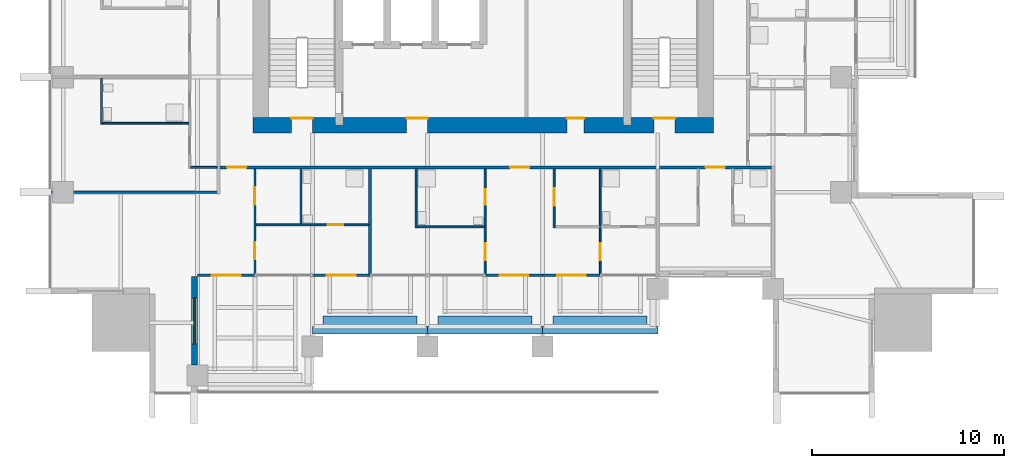
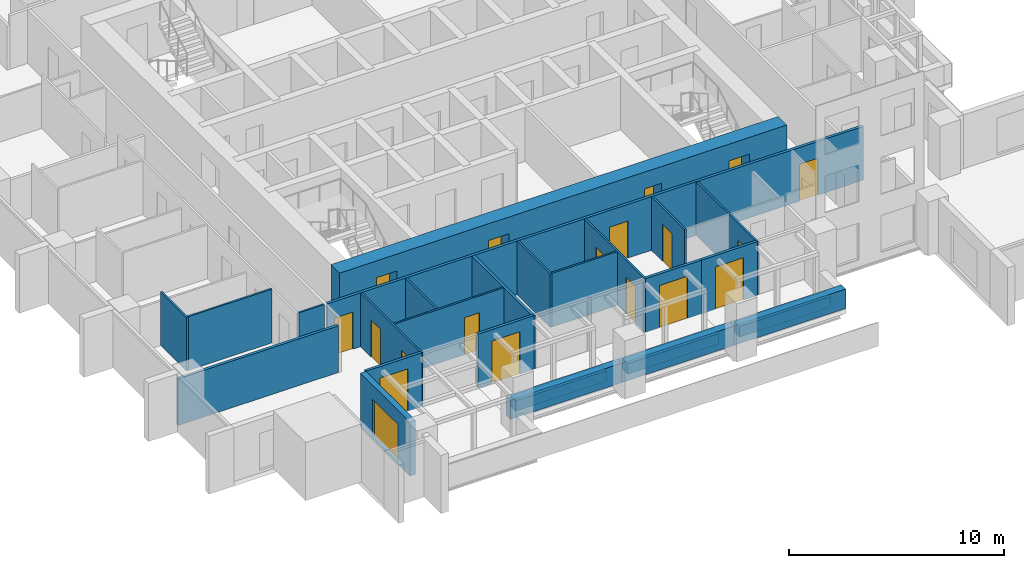
# One storey, part 7 of 16: 26 walls, 18 doors, 1 window, 19 openings.
"""IFC4 building model written with IfcOpenShell, lengths in metres."""

from ifc_helpers import new_model, si_unit, direction, frame, frame_2d, origin, place, context, subcontext, project, spatial, rectangle, extrude, material, layer, layer_set, type_object, element, fill, save


model = new_model("IFC4")

# Units and contexts
model_context = context("Model", 3, precision=1e-05, world=origin(), true_north=direction((0.0, 1.0)))
body_context = subcontext(model_context, "Body", "Model", "MODEL_VIEW")
ifc_project = project(units=[si_unit("LENGTHUNIT", "METRE"), si_unit("AREAUNIT", "SQUARE_METRE"), si_unit("VOLUMEUNIT", "CUBIC_METRE"), si_unit("PLANEANGLEUNIT", "RADIAN"), si_unit("MASSUNIT", "GRAM", prefix="KILO")], contexts=[model_context])

# Site, building, storey
site_placement = place(None, origin())
site = spatial("IfcSite", under=ifc_project, at=site_placement, CompositionType="ELEMENT")
building_placement = place(site_placement, origin())
building = spatial("IfcBuilding", under=site, at=building_placement, Name="Amberfall Residences", CompositionType="ELEMENT")
storey_placement = place(building_placement, frame((0.0, 0.0, 108.39990234375)))
storey = spatial("IfcBuildingStorey", under=building, at=storey_placement, Name="L29", CompositionType="ELEMENT", Elevation=108.39990234375)

# Wall, opening, window
ifc_material_1 = material(Name="Pale stone cladding on insulated backing", Category="masonry")
ifc_layer_1 = layer(ifc_material_1, 0.300048828125)
ifc_layer_set_1 = layer_set([ifc_layer_1], Name="Bronze clad wall 300")
wall_type_1 = type_object("IfcWallType", Name="Bronze clad wall 300", PredefinedType="SOLIDWALL", material=ifc_layer_set_1)
wall_1_placement = place(storey_placement, frame((59.449951171875, 21.39990234375, 0.0), z_axis=(0.0, 0.0, 1.0), x_axis=(0.0, 1.0, 0.0)))
wall_1 = element("IfcWall", 1, at=wall_1_placement, inside=storey, type_object=wall_type_1, Name="External wall L29 S", PredefinedType="SOLIDWALL", context=body_context, shape_type="SweptSolid", body=[
    extrude(rectangle(XDim=4.60009765625, YDim=0.300048828125, at=frame_2d((2.300048828125, 0.0))), origin(), (0.0, 0.0, 1.0), 3.050048828125),
])
opening_1_placement = place(wall_1_placement, frame((1.10009765625, 0.0, 0.14990234375)))
opening_1 = element("IfcOpeningElement", 2, at=opening_1_placement, cuts=wall_1, Name="Opening WN5", PredefinedType="OPENING", context=body_context, shape_type="SweptSolid", body=[
    extrude(rectangle(XDim=2.39990234375, YDim=2.10009765625, at=frame_2d((1.199951171875, 1.050048828125))), frame((0.0, 0.159912109375, 0.0), z_axis=(0.0, -1.0, 0.0), x_axis=(1.0, 0.0, 0.0)), (0.0, 0.0, 1.0), 0.320068359375),
])
ifc_material_2 = material(Name="Bronze aluminium framed glazing", Category="aluminium")
window_type = type_object("IfcWindowType", Name="Glazed opening 2400 x 2100 bronze", PartitioningType="DOUBLE_PANEL_VERTICAL", PredefinedType="WINDOW", material=ifc_material_2)
window_placement = place(opening_1_placement, origin())
window = element("IfcWindow", 3, at=window_placement, inside=storey, type_object=window_type, Name="Window L29 S", OverallHeight=2.10009765625, OverallWidth=2.39990234375, PartitioningType="DOUBLE_PANEL_VERTICAL", PredefinedType="WINDOW", context=body_context, shape_type="SweptSolid", body=[
    extrude(rectangle(XDim=2.39990234375, YDim=2.10009765625, at=frame_2d((1.199951171875, 1.050048828125))), frame((0.0, 0.030029296875, 0.0), z_axis=(0.0, -1.0, 0.0), x_axis=(1.0, 0.0, 0.0)), (0.0, 0.0, 1.0), 0.06005859375),
])
fill(opening_1, window)

# Wall, openings, doors
ifc_material_3 = material(Name="Concrete C70", Category="concrete")
ifc_layer_2 = layer(ifc_material_3, 0.800048828125)
ifc_layer_set_2 = layer_set([ifc_layer_2], Name="Core wall 800 C70")
wall_type_2 = type_object("IfcWallType", Name="Core wall 800 C70", PredefinedType="SHEAR", material=ifc_layer_set_2)
wall_2_placement = place(storey_placement, frame((62.5, 33.89990234375, 0.0), z_axis=(0.0, 0.0, 1.0), x_axis=(1.0, 0.0, 0.0)))
wall_2 = element("IfcWall", 4, at=wall_2_placement, inside=storey, type_object=wall_type_2, Name="Core wall RW3 L29 OS", PredefinedType="SHEAR", context=body_context, shape_type="SweptSolid", body=[
    extrude(rectangle(XDim=24.0, YDim=0.800048828125, at=frame_2d((12.0, 0.0))), origin(), (0.0, 0.0, 1.0), 3.050048828125),
])
opening_2_placement = place(wall_2_placement, frame((2.0, 0.0, 0.0)))
opening_2 = element("IfcOpeningElement", 5, at=opening_2_placement, cuts=wall_2, Name="Opening SD1", PredefinedType="OPENING", context=body_context, shape_type="SweptSolid", body=[
    extrude(rectangle(XDim=1.10009765625, YDim=2.10009765625, at=frame_2d((0.550048828125, 1.050048828125))), frame((0.0, 0.409912109375, 0.0), z_axis=(0.0, -1.0, 0.0), x_axis=(1.0, 0.0, 0.0)), (0.0, 0.0, 1.0), 0.820068359375),
])
opening_3_placement = place(wall_2_placement, frame((20.89990234375, 0.0, 0.0)))
opening_3 = element("IfcOpeningElement", 6, at=opening_3_placement, cuts=wall_2, Name="Opening SD1", PredefinedType="OPENING", context=body_context, shape_type="SweptSolid", body=[
    extrude(rectangle(XDim=1.10009765625, YDim=2.10009765625, at=frame_2d((0.550048828125, 1.050048828125))), frame((0.0, 0.409912109375, 0.0), z_axis=(0.0, -1.0, 0.0), x_axis=(1.0, 0.0, 0.0)), (0.0, 0.0, 1.0), 0.820068359375),
])
opening_4_placement = place(wall_2_placement, frame((8.0, 0.0, 0.0)))
opening_4 = element("IfcOpeningElement", 7, at=opening_4_placement, cuts=wall_2, Name="Opening FL1", PredefinedType="OPENING", context=body_context, shape_type="SweptSolid", body=[
    extrude(rectangle(XDim=1.10009765625, YDim=2.10009765625, at=frame_2d((0.550048828125, 1.050048828125))), frame((0.0, 0.409912109375, 0.0), z_axis=(0.0, -1.0, 0.0), x_axis=(1.0, 0.0, 0.0)), (0.0, 0.0, 1.0), 0.820068359375),
])
opening_5_placement = place(wall_2_placement, frame((16.362548828125, 0.0, 0.0)))
opening_5 = element("IfcOpeningElement", 8, at=opening_5_placement, cuts=wall_2, Name="Opening RD1", PredefinedType="OPENING", context=body_context, shape_type="SweptSolid", body=[
    extrude(rectangle(XDim=0.89990234375, YDim=2.10009765625, at=frame_2d((0.449951171875, 1.050048828125))), frame((0.0, 0.409912109375, 0.0), z_axis=(0.0, -1.0, 0.0), x_axis=(1.0, 0.0, 0.0)), (0.0, 0.0, 1.0), 0.820068359375),
])
ifc_material_4 = material(Name="Steel fire door set", Category="steel")
door_type_1 = type_object("IfcDoorType", Name="Firefighting lobby door 1100 x 2100", OperationType="SINGLE_SWING_LEFT", PredefinedType="DOOR", material=ifc_material_4)
door_1_placement = place(opening_4_placement, origin())
door_1 = element("IfcDoor", 9, at=door_1_placement, inside=storey, type_object=door_type_1, Name="FL1 L29", OperationType="SINGLE_SWING_LEFT", OverallHeight=2.10009765625, OverallWidth=1.10009765625, PredefinedType="DOOR", context=body_context, shape_type="SweptSolid", body=[
    extrude(rectangle(XDim=1.10009765625, YDim=2.10009765625, at=frame_2d((0.550048828125, 1.050048828125))), frame((0.0, 0.3876953125, 0.0), z_axis=(0.0, -1.0, 0.0), x_axis=(1.0, 0.0, 0.0)), (0.0, 0.0, 1.0), 0.050048828125),
])
fill(opening_4, door_1)
door_type_2 = type_object("IfcDoorType", Name="Service room door 900 x 2100", OperationType="SINGLE_SWING_LEFT", PredefinedType="DOOR", material=ifc_material_4)
door_2_placement = place(opening_5_placement, origin())
door_2 = element("IfcDoor", 10, at=door_2_placement, inside=storey, type_object=door_type_2, Name="RD1 L29", OperationType="SINGLE_SWING_LEFT", OverallHeight=2.10009765625, OverallWidth=0.89990234375, PredefinedType="DOOR", context=body_context, shape_type="SweptSolid", body=[
    extrude(rectangle(XDim=0.89990234375, YDim=2.10009765625, at=frame_2d((0.449951171875, 1.050048828125))), frame((0.0, 0.3876953125, 0.0), z_axis=(0.0, -1.0, 0.0), x_axis=(1.0, 0.0, 0.0)), (0.0, 0.0, 1.0), 0.050048828125),
])
fill(opening_5, door_2)
door_type_3 = type_object("IfcDoorType", Name="Stair door 1100 x 2100", OperationType="SINGLE_SWING_LEFT", PredefinedType="DOOR", material=ifc_material_4)
door_3_placement = place(opening_2_placement, origin())
door_3 = element("IfcDoor", 11, at=door_3_placement, inside=storey, type_object=door_type_3, Name="SD1 L29", OperationType="SINGLE_SWING_LEFT", OverallHeight=2.10009765625, OverallWidth=1.10009765625, PredefinedType="DOOR", context=body_context, shape_type="SweptSolid", body=[
    extrude(rectangle(XDim=1.10009765625, YDim=2.10009765625, at=frame_2d((0.550048828125, 1.050048828125))), frame((0.0, 0.3876953125, 0.0), z_axis=(0.0, -1.0, 0.0), x_axis=(1.0, 0.0, 0.0)), (0.0, 0.0, 1.0), 0.050048828125),
])
fill(opening_2, door_3)
door_4_placement = place(opening_3_placement, origin())
door_4 = element("IfcDoor", 12, at=door_4_placement, inside=storey, type_object=door_type_3, Name="SD1 L29", OperationType="SINGLE_SWING_RIGHT", OverallHeight=2.10009765625, OverallWidth=1.10009765625, PredefinedType="DOOR", context=body_context, shape_type="SweptSolid", body=[
    extrude(rectangle(XDim=1.10009765625, YDim=2.10009765625, at=frame_2d((0.550048828125, 1.050048828125))), frame((0.0, 0.3876953125, 0.0), z_axis=(0.0, -1.0, 0.0), x_axis=(1.0, 0.0, 0.0)), (0.0, 0.0, 1.0), 0.050048828125),
])
fill(opening_3, door_4)

# Wall
ifc_material_5 = material(Name="Gypsum board on metal stud")
ifc_layer_3 = layer(ifc_material_5, 0.10009765625)
ifc_layer_set_3 = layer_set([ifc_layer_3], Name="Flat partition 100")
wall_type_3 = type_object("IfcWallType", Name="Flat partition 100", PredefinedType="PARTITIONING", material=ifc_layer_set_3)
wall_3_placement = place(storey_placement, frame((54.60009765625, 33.949951171875, 0.0), z_axis=(0.0, 0.0, 1.0), x_axis=(0.0, 1.0, 0.0)))
element("IfcWall", 13, at=wall_3_placement, inside=storey, type_object=wall_type_3, Name="Partition 001", PredefinedType="PARTITIONING", context=body_context, shape_type="SweptSolid", body=[
    extrude(rectangle(XDim=2.400146484375, YDim=0.10009765625, at=frame_2d((1.2001953125, 0.0))), origin(), (0.0, 0.0, 1.0), 3.050048828125),
])

# Wall, openings, doors
wall_4_placement = place(storey_placement, frame((62.60009765625, 31.625, 0.0), z_axis=(0.0, 0.0, 1.0), x_axis=(0.0, -1.0, 0.0)))
wall_4 = element("IfcWall", 14, at=wall_4_placement, inside=storey, type_object=wall_type_3, Name="Partition 007", PredefinedType="PARTITIONING", context=body_context, shape_type="SweptSolid", body=[
    extrude(rectangle(XDim=5.625, YDim=0.10009765625, at=frame_2d((2.8125, 0.0))), origin(), (0.0, 0.0, 1.0), 3.050048828125),
])
opening_6_placement = place(wall_4_placement, frame((0.97509765625, 0.0, 0.0)))
opening_6 = element("IfcOpeningElement", 15, at=opening_6_placement, cuts=wall_4, Name="Opening D41", PredefinedType="OPENING", context=body_context, shape_type="SweptSolid", body=[
    extrude(rectangle(XDim=0.89990234375, YDim=2.10009765625, at=frame_2d((0.449951171875, 1.050048828125))), frame((0.0, 0.06005859375, 0.0), z_axis=(0.0, -1.0, 0.0), x_axis=(1.0, 0.0, 0.0)), (0.0, 0.0, 1.0), 0.1201171875),
])
opening_7_placement = place(wall_4_placement, frame((3.824951171875, 0.0, 0.0)))
opening_7 = element("IfcOpeningElement", 16, at=opening_7_placement, cuts=wall_4, Name="Opening D41", PredefinedType="OPENING", context=body_context, shape_type="SweptSolid", body=[
    extrude(rectangle(XDim=0.89990234375, YDim=2.10009765625, at=frame_2d((0.449951171875, 1.050048828125))), frame((0.0, 0.06005859375, 0.0), z_axis=(0.0, -1.0, 0.0), x_axis=(1.0, 0.0, 0.0)), (0.0, 0.0, 1.0), 0.1201171875),
])
ifc_material_6 = material(Name="Timber", Category="wood")
door_type_4 = type_object("IfcDoorType", Name="Internal door 900 x 2100", OperationType="SINGLE_SWING_LEFT", PredefinedType="DOOR", material=ifc_material_6)
door_5_placement = place(opening_6_placement, origin())
door_5 = element("IfcDoor", 17, at=door_5_placement, inside=storey, type_object=door_type_4, Name="Door 2901 kitchen", OperationType="SINGLE_SWING_LEFT", OverallHeight=2.10009765625, OverallWidth=0.89990234375, PredefinedType="DOOR", context=body_context, shape_type="SweptSolid", body=[
    extrude(rectangle(XDim=0.89990234375, YDim=2.10009765625, at=frame_2d((0.449951171875, 1.050048828125))), frame((0.0, 0.02490234375, 0.0), z_axis=(0.0, -1.0, 0.0), x_axis=(1.0, 0.0, 0.0)), (0.0, 0.0, 1.0), 0.050048828125),
])
fill(opening_6, door_5)
door_6_placement = place(opening_7_placement, origin())
door_6 = element("IfcDoor", 18, at=door_6_placement, inside=storey, type_object=door_type_4, Name="Door 2901 bedroom1", OperationType="SINGLE_SWING_LEFT", OverallHeight=2.10009765625, OverallWidth=0.89990234375, PredefinedType="DOOR", context=body_context, shape_type="SweptSolid", body=[
    extrude(rectangle(XDim=0.89990234375, YDim=2.10009765625, at=frame_2d((0.449951171875, 1.050048828125))), frame((0.0, 0.02490234375, 0.0), z_axis=(0.0, -1.0, 0.0), x_axis=(1.0, 0.0, 0.0)), (0.0, 0.0, 1.0), 0.050048828125),
])
fill(opening_7, door_6)

# Walls
wall_5_placement = place(storey_placement, frame((65.0, 28.75, 0.0), z_axis=(0.0, 0.0, 1.0), x_axis=(0.0, 1.0, 0.0)))
element("IfcWall", 19, at=wall_5_placement, inside=storey, type_object=wall_type_3, Name="Partition 009", PredefinedType="PARTITIONING", context=body_context, shape_type="SweptSolid", body=[
    extrude(rectangle(XDim=2.875, YDim=0.10009765625, at=frame_2d((1.4375, 0.0))), origin(), (0.0, 0.0, 1.0), 3.050048828125),
])
wall_6_placement = place(storey_placement, frame((71.0, 28.550048828125, 0.0), z_axis=(0.0, 0.0, 1.0), x_axis=(0.0, 1.0, 0.0)))
element("IfcWall", 20, at=wall_6_placement, inside=storey, type_object=wall_type_3, Name="Partition 012", PredefinedType="PARTITIONING", context=body_context, shape_type="SweptSolid", body=[
    extrude(rectangle(XDim=3.074951171875, YDim=0.10009765625, at=frame_2d((1.53759765625, 0.0))), origin(), (0.0, 0.0, 1.0), 3.050048828125),
])

# Wall, openings, doors
wall_7_placement = place(storey_placement, frame((74.60009765625, 26.0, 0.0), z_axis=(0.0, 0.0, 1.0), x_axis=(0.0, 1.0, 0.0)))
wall_7 = element("IfcWall", 21, at=wall_7_placement, inside=storey, type_object=wall_type_3, Name="Partition 015", PredefinedType="PARTITIONING", context=body_context, shape_type="SweptSolid", body=[
    extrude(rectangle(XDim=5.625, YDim=0.10009765625, at=frame_2d((2.8125, 0.0))), origin(), (0.0, 0.0, 1.0), 3.050048828125),
])
opening_8_placement = place(wall_7_placement, frame((0.85009765625, 0.0, 0.0)))
opening_8 = element("IfcOpeningElement", 22, at=opening_8_placement, cuts=wall_7, Name="Opening D41", PredefinedType="OPENING", context=body_context, shape_type="SweptSolid", body=[
    extrude(rectangle(XDim=0.89990234375, YDim=2.10009765625, at=frame_2d((0.449951171875, 1.050048828125))), frame((0.0, 0.06005859375, 0.0), z_axis=(0.0, -1.0, 0.0), x_axis=(1.0, 0.0, 0.0)), (0.0, 0.0, 1.0), 0.1201171875),
])
opening_9_placement = place(wall_7_placement, frame((3.75, 0.0, 0.0)))
opening_9 = element("IfcOpeningElement", 23, at=opening_9_placement, cuts=wall_7, Name="Opening D42", PredefinedType="OPENING", context=body_context, shape_type="SweptSolid", body=[
    extrude(rectangle(XDim=0.800048828125, YDim=2.10009765625, at=frame_2d((0.39990234375, 1.050048828125))), frame((0.0, 0.06005859375, 0.0), z_axis=(0.0, -1.0, 0.0), x_axis=(1.0, 0.0, 0.0)), (0.0, 0.0, 1.0), 0.1201171875),
])
door_type_5 = type_object("IfcDoorType", Name="Bathroom door 800 x 2100", OperationType="SINGLE_SWING_LEFT", PredefinedType="DOOR", material=ifc_material_6)
door_7_placement = place(opening_9_placement, origin())
door_7 = element("IfcDoor", 24, at=door_7_placement, inside=storey, type_object=door_type_5, Name="Door 2902 bath1", OperationType="SINGLE_SWING_LEFT", OverallHeight=2.10009765625, OverallWidth=0.800048828125, PredefinedType="DOOR", context=body_context, shape_type="SweptSolid", body=[
    extrude(rectangle(XDim=0.800048828125, YDim=2.10009765625, at=frame_2d((0.39990234375, 1.050048828125))), frame((0.0, 0.02490234375, 0.0), z_axis=(0.0, -1.0, 0.0), x_axis=(1.0, 0.0, 0.0)), (0.0, 0.0, 1.0), 0.050048828125),
])
fill(opening_9, door_7)
door_8_placement = place(opening_8_placement, origin())
door_8 = element("IfcDoor", 25, at=door_8_placement, inside=storey, type_object=door_type_4, Name="Door 2902 bedroom1", OperationType="SINGLE_SWING_LEFT", OverallHeight=2.10009765625, OverallWidth=0.89990234375, PredefinedType="DOOR", context=body_context, shape_type="SweptSolid", body=[
    extrude(rectangle(XDim=0.89990234375, YDim=2.10009765625, at=frame_2d((0.449951171875, 1.050048828125))), frame((0.0, 0.02490234375, 0.0), z_axis=(0.0, -1.0, 0.0), x_axis=(1.0, 0.0, 0.0)), (0.0, 0.0, 1.0), 0.050048828125),
])
fill(opening_8, door_8)

# Wall, opening, door
wall_8_placement = place(storey_placement, frame((78.199951171875, 31.625, 0.0), z_axis=(0.0, 0.0, 1.0), x_axis=(0.0, -1.0, 0.0)))
wall_8 = element("IfcWall", 26, at=wall_8_placement, inside=storey, type_object=wall_type_3, Name="Partition 016", PredefinedType="PARTITIONING", context=body_context, shape_type="SweptSolid", body=[
    extrude(rectangle(XDim=3.074951171875, YDim=0.10009765625, at=frame_2d((1.53759765625, 0.0))), origin(), (0.0, 0.0, 1.0), 3.050048828125),
])
opening_10_placement = place(wall_8_placement, frame((1.02490234375, 0.0, 0.0)))
opening_10 = element("IfcOpeningElement", 27, at=opening_10_placement, cuts=wall_8, Name="Opening D41", PredefinedType="OPENING", context=body_context, shape_type="SweptSolid", body=[
    extrude(rectangle(XDim=0.89990234375, YDim=2.10009765625, at=frame_2d((0.449951171875, 1.050048828125))), frame((0.0, 0.06005859375, 0.0), z_axis=(0.0, -1.0, 0.0), x_axis=(1.0, 0.0, 0.0)), (0.0, 0.0, 1.0), 0.1201171875),
])
door_9_placement = place(opening_10_placement, origin())
door_9 = element("IfcDoor", 28, at=door_9_placement, inside=storey, type_object=door_type_4, Name="Door 2902 kitchen", OperationType="SINGLE_SWING_LEFT", OverallHeight=2.10009765625, OverallWidth=0.89990234375, PredefinedType="DOOR", context=body_context, shape_type="SweptSolid", body=[
    extrude(rectangle(XDim=0.89990234375, YDim=2.10009765625, at=frame_2d((0.449951171875, 1.050048828125))), frame((0.0, 0.02490234375, 0.0), z_axis=(0.0, -1.0, 0.0), x_axis=(1.0, 0.0, 0.0)), (0.0, 0.0, 1.0), 0.050048828125),
])
fill(opening_10, door_9)

wall_9_placement = place(storey_placement, frame((80.60009765625, 31.625, 0.0), z_axis=(0.0, 0.0, 1.0), x_axis=(0.0, -1.0, 0.0)))
wall_9 = element("IfcWall", 29, at=wall_9_placement, inside=storey, type_object=wall_type_3, Name="Partition 017", PredefinedType="PARTITIONING", context=body_context, shape_type="SweptSolid", body=[
    extrude(rectangle(XDim=5.625, YDim=0.10009765625, at=frame_2d((2.8125, 0.0))), origin(), (0.0, 0.0, 1.0), 3.050048828125),
])
opening_11_placement = place(wall_9_placement, frame((3.875, 0.0, 0.0)))
opening_11 = element("IfcOpeningElement", 30, at=opening_11_placement, cuts=wall_9, Name="Opening D41", PredefinedType="OPENING", context=body_context, shape_type="SweptSolid", body=[
    extrude(rectangle(XDim=0.89990234375, YDim=2.10009765625, at=frame_2d((0.449951171875, 1.050048828125))), frame((0.0, 0.06005859375, 0.0), z_axis=(0.0, -1.0, 0.0), x_axis=(1.0, 0.0, 0.0)), (0.0, 0.0, 1.0), 0.1201171875),
])
door_10_placement = place(opening_11_placement, origin())
door_10 = element("IfcDoor", 31, at=door_10_placement, inside=storey, type_object=door_type_4, Name="Door 2902 bedroom2", OperationType="SINGLE_SWING_LEFT", OverallHeight=2.10009765625, OverallWidth=0.89990234375, PredefinedType="DOOR", context=body_context, shape_type="SweptSolid", body=[
    extrude(rectangle(XDim=0.89990234375, YDim=2.10009765625, at=frame_2d((0.449951171875, 1.050048828125))), frame((0.0, 0.02490234375, 0.0), z_axis=(0.0, -1.0, 0.0), x_axis=(1.0, 0.0, 0.0)), (0.0, 0.0, 1.0), 0.050048828125),
])
fill(opening_11, door_10)

# Walls
wall_10_placement = place(storey_placement, frame((54.64990234375, 34.0, 0.0), z_axis=(0.0, 0.0, 1.0), x_axis=(1.0, 0.0, 0.0)))
element("IfcWall", 32, at=wall_10_placement, inside=storey, type_object=wall_type_3, Name="Partition 043", PredefinedType="PARTITIONING", context=body_context, shape_type="SweptSolid", body=[
    extrude(rectangle(XDim=4.5, YDim=0.10009765625, at=frame_2d((2.25, 0.0))), origin(), (0.0, 0.0, 1.0), 3.050048828125),
])
wall_11_placement = place(storey_placement, frame((59.25, 31.699951171875, 0.0), z_axis=(0.0, 0.0, 1.0), x_axis=(1.0, 0.0, 0.0)))
element("IfcWall", 33, at=wall_11_placement, inside=storey, type_object=wall_type_3, Name="Partition 045", PredefinedType="PARTITIONING", context=body_context, shape_type="SweptSolid", body=[
    extrude(rectangle(XDim=1.375, YDim=0.10009765625, at=frame_2d((0.6875, 0.0))), origin(), (0.0, 0.0, 1.0), 3.050048828125),
])

# Wall, opening, door
wall_12_placement = place(storey_placement, frame((62.64990234375, 28.699951171875, 0.0), z_axis=(0.0, 0.0, 1.0), x_axis=(1.0, 0.0, 0.0)))
wall_12 = element("IfcWall", 34, at=wall_12_placement, inside=storey, type_object=wall_type_3, Name="Partition 046", PredefinedType="PARTITIONING", context=body_context, shape_type="SweptSolid", body=[
    extrude(rectangle(XDim=5.875, YDim=0.10009765625, at=frame_2d((2.9375, 0.0))), origin(), (0.0, 0.0, 1.0), 3.050048828125),
])
opening_12_placement = place(wall_12_placement, frame((3.75, 0.0, 0.0)))
opening_12 = element("IfcOpeningElement", 35, at=opening_12_placement, cuts=wall_12, Name="Opening D42", PredefinedType="OPENING", context=body_context, shape_type="SweptSolid", body=[
    extrude(rectangle(XDim=0.800048828125, YDim=2.10009765625, at=frame_2d((0.39990234375, 1.050048828125))), frame((0.0, 0.06005859375, 0.0), z_axis=(0.0, -1.0, 0.0), x_axis=(1.0, 0.0, 0.0)), (0.0, 0.0, 1.0), 0.1201171875),
])
door_11_placement = place(opening_12_placement, origin())
door_11 = element("IfcDoor", 36, at=door_11_placement, inside=storey, type_object=door_type_5, Name="Door 2901 bath1", OperationType="SINGLE_SWING_LEFT", OverallHeight=2.10009765625, OverallWidth=0.800048828125, PredefinedType="DOOR", context=body_context, shape_type="SweptSolid", body=[
    extrude(rectangle(XDim=0.800048828125, YDim=2.10009765625, at=frame_2d((0.39990234375, 1.050048828125))), frame((0.0, 0.02490234375, 0.0), z_axis=(0.0, -1.0, 0.0), x_axis=(1.0, 0.0, 0.0)), (0.0, 0.0, 1.0), 0.050048828125),
])
fill(opening_12, door_11)

# Walls
wall_13_placement = place(storey_placement, frame((71.050048828125, 28.60009765625, 0.0), z_axis=(0.0, 0.0, 1.0), x_axis=(1.0, 0.0, 0.0)))
element("IfcWall", 37, at=wall_13_placement, inside=storey, type_object=wall_type_3, Name="Partition 049", PredefinedType="PARTITIONING", context=body_context, shape_type="SweptSolid", body=[
    extrude(rectangle(XDim=3.5, YDim=0.10009765625, at=frame_2d((1.75, 0.0))), origin(), (0.0, 0.0, 1.0), 3.050048828125),
])
ifc_material_7 = material(Name="Blockwork, plastered", Category="masonry")
ifc_layer_4 = layer(ifc_material_7, 0.14990234375)
ifc_layer_set_4 = layer_set([ifc_layer_4], Name="Flat separating wall 150")
wall_type_4 = type_object("IfcWallType", Name="Flat separating wall 150", PredefinedType="PARTITIONING", material=ifc_layer_set_4)
wall_14_placement = place(storey_placement, frame((68.60009765625, 26.0, 0.0), z_axis=(0.0, 0.0, 1.0), x_axis=(0.0, 1.0, 0.0)))
element("IfcWall", 38, at=wall_14_placement, inside=storey, type_object=wall_type_4, Name="Separating wall 053", PredefinedType="PARTITIONING", context=body_context, shape_type="SweptSolid", body=[
    extrude(rectangle(XDim=5.625, YDim=0.14990234375, at=frame_2d((2.8125, 0.0))), origin(), (0.0, 0.0, 1.0), 3.050048828125),
])

# Wall, openings, doors
wall_15_placement = place(storey_placement, frame((89.52490234375, 31.699951171875, 0.0), z_axis=(0.0, 0.0, 1.0), x_axis=(-1.0, 0.0, 0.0)))
wall_15 = element("IfcWall", 39, at=wall_15_placement, inside=storey, type_object=wall_type_4, Name="Separating wall 063", PredefinedType="PARTITIONING", context=body_context, shape_type="SweptSolid", body=[
    extrude(rectangle(XDim=28.75, YDim=0.14990234375, at=frame_2d((14.375, 0.0))), origin(), (0.0, 0.0, 1.0), 3.050048828125),
])
opening_13_placement = place(wall_15_placement, frame((27.375, 0.0, 0.0)))
opening_13 = element("IfcOpeningElement", 40, at=opening_13_placement, cuts=wall_15, Name="Opening D40", PredefinedType="OPENING", context=body_context, shape_type="SweptSolid", body=[
    extrude(rectangle(XDim=1.0, YDim=2.10009765625, at=frame_2d((0.5, 1.050048828125))), frame((0.0, 0.0849609375, 0.0), z_axis=(0.0, -1.0, 0.0), x_axis=(1.0, 0.0, 0.0)), (0.0, 0.0, 1.0), 0.169921875),
])
opening_14_placement = place(wall_15_placement, frame((12.625, 0.0, 0.0)))
opening_14 = element("IfcOpeningElement", 41, at=opening_14_placement, cuts=wall_15, Name="Opening D40", PredefinedType="OPENING", context=body_context, shape_type="SweptSolid", body=[
    extrude(rectangle(XDim=1.0, YDim=2.10009765625, at=frame_2d((0.5, 1.050048828125))), frame((0.0, 0.0849609375, 0.0), z_axis=(0.0, -1.0, 0.0), x_axis=(1.0, 0.0, 0.0)), (0.0, 0.0, 1.0), 0.169921875),
])
opening_15_placement = place(wall_15_placement, frame((2.425048828125, 0.0, 0.0)))
opening_15 = element("IfcOpeningElement", 42, at=opening_15_placement, cuts=wall_15, Name="Opening D40", PredefinedType="OPENING", context=body_context, shape_type="SweptSolid", body=[
    extrude(rectangle(XDim=1.0, YDim=2.10009765625, at=frame_2d((0.5, 1.050048828125))), frame((0.0, 0.0849609375, 0.0), z_axis=(0.0, -1.0, 0.0), x_axis=(1.0, 0.0, 0.0)), (0.0, 0.0, 1.0), 0.169921875),
])
ifc_material_8 = material(Name="Timber, fire-rated", Category="wood")
door_type_6 = type_object("IfcDoorType", Name="Flat entrance door FD60 1000 x 2100", OperationType="SINGLE_SWING_LEFT", PredefinedType="DOOR", material=ifc_material_8)
door_12_placement = place(opening_13_placement, origin())
door_12 = element("IfcDoor", 43, at=door_12_placement, inside=storey, type_object=door_type_6, Name="Door 2901 entrance", OperationType="SINGLE_SWING_LEFT", OverallHeight=2.10009765625, OverallWidth=1.0, PredefinedType="DOOR", context=body_context, shape_type="SweptSolid", body=[
    extrude(rectangle(XDim=1.0, YDim=2.10009765625, at=frame_2d((0.5, 1.050048828125))), frame((0.0, 0.02490234375, 0.0), z_axis=(0.0, -1.0, 0.0), x_axis=(1.0, 0.0, 0.0)), (0.0, 0.0, 1.0), 0.050048828125),
])
fill(opening_13, door_12)
door_13_placement = place(opening_14_placement, origin())
door_13 = element("IfcDoor", 44, at=door_13_placement, inside=storey, type_object=door_type_6, Name="Door 2902 entrance", OperationType="SINGLE_SWING_LEFT", OverallHeight=2.10009765625, OverallWidth=1.0, PredefinedType="DOOR", context=body_context, shape_type="SweptSolid", body=[
    extrude(rectangle(XDim=1.0, YDim=2.10009765625, at=frame_2d((0.5, 1.050048828125))), frame((0.0, 0.02490234375, 0.0), z_axis=(0.0, -1.0, 0.0), x_axis=(1.0, 0.0, 0.0)), (0.0, 0.0, 1.0), 0.050048828125),
])
fill(opening_14, door_13)
door_14_placement = place(opening_15_placement, origin())
door_14 = element("IfcDoor", 45, at=door_14_placement, inside=storey, type_object=door_type_6, Name="Door 2903 entrance", OperationType="SINGLE_SWING_LEFT", OverallHeight=2.10009765625, OverallWidth=1.0, PredefinedType="DOOR", context=body_context, shape_type="SweptSolid", body=[
    extrude(rectangle(XDim=1.0, YDim=2.10009765625, at=frame_2d((0.5, 1.050048828125))), frame((0.0, 0.02490234375, 0.0), z_axis=(0.0, -1.0, 0.0), x_axis=(1.0, 0.0, 0.0)), (0.0, 0.0, 1.0), 0.050048828125),
])
fill(opening_15, door_14)

# Walls
wall_16_placement = place(storey_placement, frame((52.0, 30.39990234375, 0.0), z_axis=(0.0, 0.0, 1.0), x_axis=(1.0, 0.0, 0.0)))
element("IfcWall", 46, at=wall_16_placement, inside=storey, type_object=wall_type_4, Name="Separating wall 064", PredefinedType="PARTITIONING", context=body_context, shape_type="SweptSolid", body=[
    extrude(rectangle(XDim=8.625, YDim=0.14990234375, at=frame_2d((4.3125, 0.0))), origin(), (0.0, 0.0, 1.0), 2.647216796875),
])
ifc_material_9 = material(Name="Precast concrete C32/40", Category="concrete")
ifc_layer_5 = layer(ifc_material_9, 0.5)
ifc_layer_set_5 = layer_set([ifc_layer_5], Name="Planter wall 500")
wall_type_5 = type_object("IfcWallType", Name="Planter wall 500", PredefinedType="SOLIDWALL", material=ifc_layer_set_5)
for number, where, z_axis, x_axis, name in (
    (47, (66.14990234375, 23.699951171875, 0.030029296875), (0.0, 0.0, 1.0), (1.0, 0.0, 0.0), "Planter L29 S2"),
    (48, (72.14990234375, 23.699951171875, 0.030029296875), (0.0, 0.0, 1.0), (1.0, 0.0, 0.0), "Planter L29 S3"),
    (49, (78.14990234375, 23.699951171875, 0.030029296875), (0.0, 0.0, 1.0), (1.0, 0.0, 0.0), "Planter L29 S4"),
):
    element("IfcWall", number, at=place(storey_placement, frame(where, z_axis=z_axis, x_axis=x_axis)), inside=storey, type_object=wall_type_5, Name=name, PredefinedType="SOLIDWALL", context=body_context, shape_type="SweptSolid", body=[
        extrude(rectangle(XDim=4.900146484375, YDim=0.5, at=frame_2d((2.4501953125, 0.0))), origin(), (0.0, 0.0, 1.0), 0.60009765625),
    ])

# Wall, opening, door
ifc_layer_6 = layer(ifc_material_1, 0.14990234375)
ifc_layer_set_6 = layer_set([ifc_layer_6], Name="Terrace door infill wall 150")
wall_type_6 = type_object("IfcWallType", Name="Terrace door infill wall 150", PredefinedType="SOLIDWALL", material=ifc_layer_set_6)
wall_17_placement = place(storey_placement, frame((59.60009765625, 26.074951171875, 0.0), z_axis=(0.0, 0.0, 1.0), x_axis=(1.0, 0.0, 0.0)))
wall_17 = element("IfcWall", 50, at=wall_17_placement, inside=storey, type_object=wall_type_6, Name="Terrace door wall L29 S1", PredefinedType="SOLIDWALL", context=body_context, shape_type="SweptSolid", body=[
    extrude(rectangle(XDim=3.0, YDim=0.14990234375, at=frame_2d((1.5, 0.0))), origin(), (0.0, 0.0, 1.0), 3.050048828125),
])
opening_16_placement = place(wall_17_placement, frame((0.75, 0.0, 0.0)))
opening_16 = element("IfcOpeningElement", 51, at=opening_16_placement, cuts=wall_17, Name="Opening TD2", PredefinedType="OPENING", context=body_context, shape_type="SweptSolid", body=[
    extrude(rectangle(XDim=1.5, YDim=2.39990234375, at=frame_2d((0.75, 1.199951171875))), frame((0.0, 0.0849609375, 0.0), z_axis=(0.0, -1.0, 0.0), x_axis=(1.0, 0.0, 0.0)), (0.0, 0.0, 1.0), 0.169921875),
])
ifc_material_10 = material(Name="Bronze aluminium framed glazed door", Category="aluminium")
door_type_7 = type_object("IfcDoorType", Name="Terrace sliding door 1500 x 2400", OperationType="DOUBLE_DOOR_SLIDING", PredefinedType="DOOR", material=ifc_material_10)
door_15_placement = place(opening_16_placement, origin())
door_15 = element("IfcDoor", 52, at=door_15_placement, inside=storey, type_object=door_type_7, Name="Terrace door TD2", OperationType="DOUBLE_DOOR_SLIDING", OverallHeight=2.39990234375, OverallWidth=1.5, PredefinedType="DOOR", context=body_context, shape_type="SweptSolid", body=[
    extrude(rectangle(XDim=1.5, YDim=2.39990234375, at=frame_2d((0.75, 1.199951171875))), frame((0.0, 0.02490234375, 0.0), z_axis=(0.0, -1.0, 0.0), x_axis=(1.0, 0.0, 0.0)), (0.0, 0.0, 1.0), 0.050048828125),
])
fill(opening_16, door_15)

wall_18_placement = place(storey_placement, frame((65.60009765625, 26.074951171875, 0.0), z_axis=(0.0, 0.0, 1.0), x_axis=(1.0, 0.0, 0.0)))
wall_18 = element("IfcWall", 53, at=wall_18_placement, inside=storey, type_object=wall_type_6, Name="Terrace door wall L29 S2", PredefinedType="SOLIDWALL", context=body_context, shape_type="SweptSolid", body=[
    extrude(rectangle(XDim=3.0, YDim=0.14990234375, at=frame_2d((1.5, 0.0))), origin(), (0.0, 0.0, 1.0), 3.050048828125),
])
opening_17_placement = place(wall_18_placement, frame((0.75, 0.0, 0.0)))
opening_17 = element("IfcOpeningElement", 54, at=opening_17_placement, cuts=wall_18, Name="Opening TD2", PredefinedType="OPENING", context=body_context, shape_type="SweptSolid", body=[
    extrude(rectangle(XDim=1.5, YDim=2.39990234375, at=frame_2d((0.75, 1.199951171875))), frame((0.0, 0.0849609375, 0.0), z_axis=(0.0, -1.0, 0.0), x_axis=(1.0, 0.0, 0.0)), (0.0, 0.0, 1.0), 0.169921875),
])
door_16_placement = place(opening_17_placement, origin())
door_16 = element("IfcDoor", 55, at=door_16_placement, inside=storey, type_object=door_type_7, Name="Terrace door TD2", OperationType="DOUBLE_DOOR_SLIDING", OverallHeight=2.39990234375, OverallWidth=1.5, PredefinedType="DOOR", context=body_context, shape_type="SweptSolid", body=[
    extrude(rectangle(XDim=1.5, YDim=2.39990234375, at=frame_2d((0.75, 1.199951171875))), frame((0.0, 0.02490234375, 0.0), z_axis=(0.0, -1.0, 0.0), x_axis=(1.0, 0.0, 0.0)), (0.0, 0.0, 1.0), 0.050048828125),
])
fill(opening_17, door_16)

wall_19_placement = place(storey_placement, frame((74.60009765625, 26.074951171875, 0.0), z_axis=(0.0, 0.0, 1.0), x_axis=(1.0, 0.0, 0.0)))
wall_19 = element("IfcWall", 56, at=wall_19_placement, inside=storey, type_object=wall_type_6, Name="Terrace door wall L29 S3", PredefinedType="SOLIDWALL", context=body_context, shape_type="SweptSolid", body=[
    extrude(rectangle(XDim=3.0, YDim=0.14990234375, at=frame_2d((1.5, 0.0))), origin(), (0.0, 0.0, 1.0), 3.050048828125),
])
opening_18_placement = place(wall_19_placement, frame((0.75, 0.0, 0.0)))
opening_18 = element("IfcOpeningElement", 57, at=opening_18_placement, cuts=wall_19, Name="Opening TD2", PredefinedType="OPENING", context=body_context, shape_type="SweptSolid", body=[
    extrude(rectangle(XDim=1.5, YDim=2.39990234375, at=frame_2d((0.75, 1.199951171875))), frame((0.0, 0.0849609375, 0.0), z_axis=(0.0, -1.0, 0.0), x_axis=(1.0, 0.0, 0.0)), (0.0, 0.0, 1.0), 0.169921875),
])
door_17_placement = place(opening_18_placement, origin())
door_17 = element("IfcDoor", 58, at=door_17_placement, inside=storey, type_object=door_type_7, Name="Terrace door TD2", OperationType="DOUBLE_DOOR_SLIDING", OverallHeight=2.39990234375, OverallWidth=1.5, PredefinedType="DOOR", context=body_context, shape_type="SweptSolid", body=[
    extrude(rectangle(XDim=1.5, YDim=2.39990234375, at=frame_2d((0.75, 1.199951171875))), frame((0.0, 0.02490234375, 0.0), z_axis=(0.0, -1.0, 0.0), x_axis=(1.0, 0.0, 0.0)), (0.0, 0.0, 1.0), 0.050048828125),
])
fill(opening_18, door_17)

wall_20_placement = place(storey_placement, frame((77.60009765625, 26.074951171875, 0.0), z_axis=(0.0, 0.0, 1.0), x_axis=(1.0, 0.0, 0.0)))
wall_20 = element("IfcWall", 59, at=wall_20_placement, inside=storey, type_object=wall_type_6, Name="Terrace door wall L29 S4", PredefinedType="SOLIDWALL", context=body_context, shape_type="SweptSolid", body=[
    extrude(rectangle(XDim=3.0, YDim=0.14990234375, at=frame_2d((1.5, 0.0))), origin(), (0.0, 0.0, 1.0), 3.050048828125),
])
opening_19_placement = place(wall_20_placement, frame((0.75, 0.0, 0.0)))
opening_19 = element("IfcOpeningElement", 60, at=opening_19_placement, cuts=wall_20, Name="Opening TD2", PredefinedType="OPENING", context=body_context, shape_type="SweptSolid", body=[
    extrude(rectangle(XDim=1.5, YDim=2.39990234375, at=frame_2d((0.75, 1.199951171875))), frame((0.0, 0.0849609375, 0.0), z_axis=(0.0, -1.0, 0.0), x_axis=(1.0, 0.0, 0.0)), (0.0, 0.0, 1.0), 0.169921875),
])
door_18_placement = place(opening_19_placement, origin())
door_18 = element("IfcDoor", 61, at=door_18_placement, inside=storey, type_object=door_type_7, Name="Terrace door TD2", OperationType="DOUBLE_DOOR_SLIDING", OverallHeight=2.39990234375, OverallWidth=1.5, PredefinedType="DOOR", context=body_context, shape_type="SweptSolid", body=[
    extrude(rectangle(XDim=1.5, YDim=2.39990234375, at=frame_2d((0.75, 1.199951171875))), frame((0.0, 0.02490234375, 0.0), z_axis=(0.0, -1.0, 0.0), x_axis=(1.0, 0.0, 0.0)), (0.0, 0.0, 1.0), 0.050048828125),
])
fill(opening_19, door_18)

# Walls
ifc_material_11 = material(Name="Pale stone faced Concrete C40", Category="masonry")
ifc_layer_7 = layer(ifc_material_11, 0.39990234375)
ifc_layer_set_7 = layer_set([ifc_layer_7], Name="Terrace parapet wall 400")
wall_type_7 = type_object("IfcWallType", Name="Terrace parapet wall 400", PredefinedType="PARAPET", material=ifc_layer_set_7)
for number, where, z_axis, x_axis, name in (
    (62, (65.60009765625, 23.199951171875, 0.030029296875), (0.0, 0.0, 1.0), (1.0, 0.0, 0.0), "Terrace parapet L29 S2"),
    (63, (71.60009765625, 23.199951171875, 0.030029296875), (0.0, 0.0, 1.0), (1.0, 0.0, 0.0), "Terrace parapet L29 S3"),
    (64, (77.60009765625, 23.199951171875, 0.030029296875), (0.0, 0.0, 1.0), (1.0, 0.0, 0.0), "Terrace parapet L29 S4"),
):
    element("IfcWall", number, at=place(storey_placement, frame(where, z_axis=z_axis, x_axis=x_axis)), inside=storey, type_object=wall_type_7, Name=name, PredefinedType="PARAPET", context=body_context, shape_type="SweptSolid", body=[
        extrude(rectangle(XDim=6.0, YDim=0.39990234375, at=frame_2d((3.0, 0.0))), origin(), (0.0, 0.0, 1.0), 1.10009765625),
    ])

save(model, "model.ifc")
